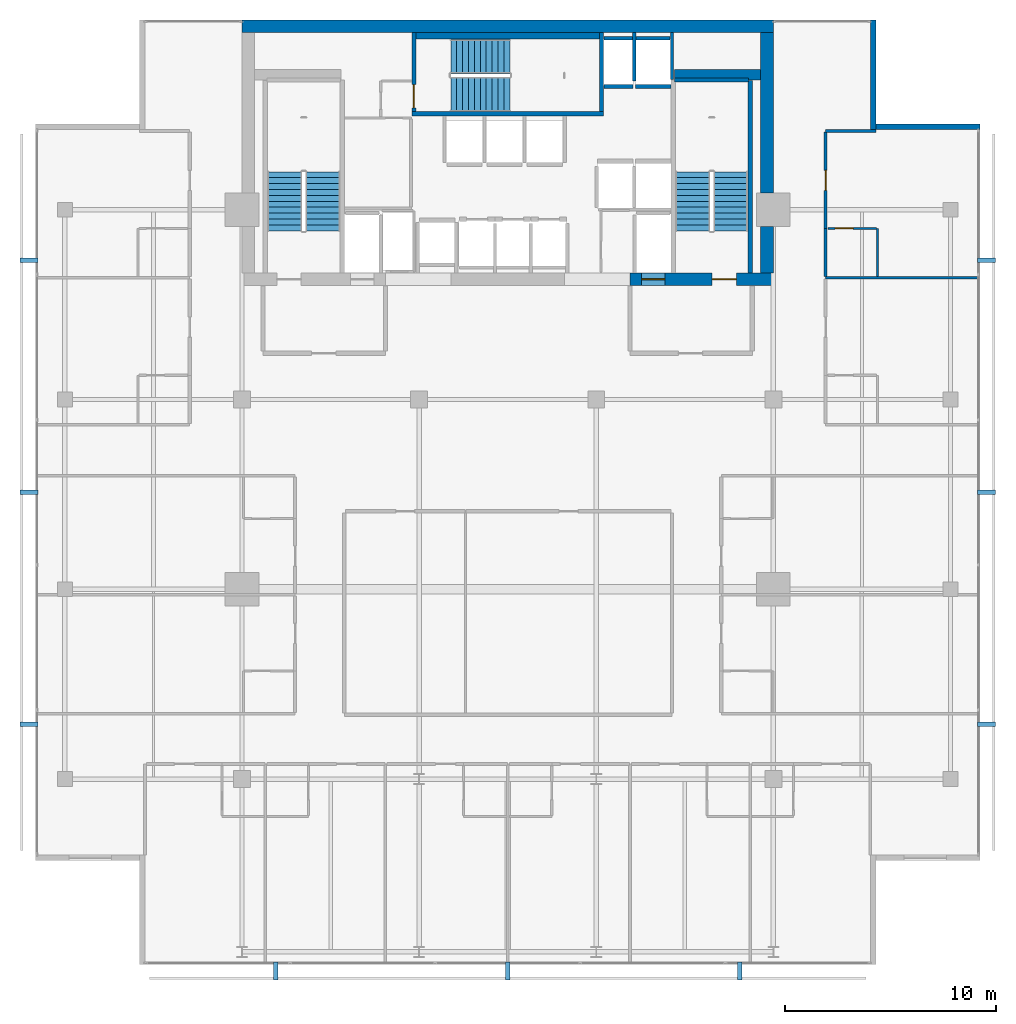
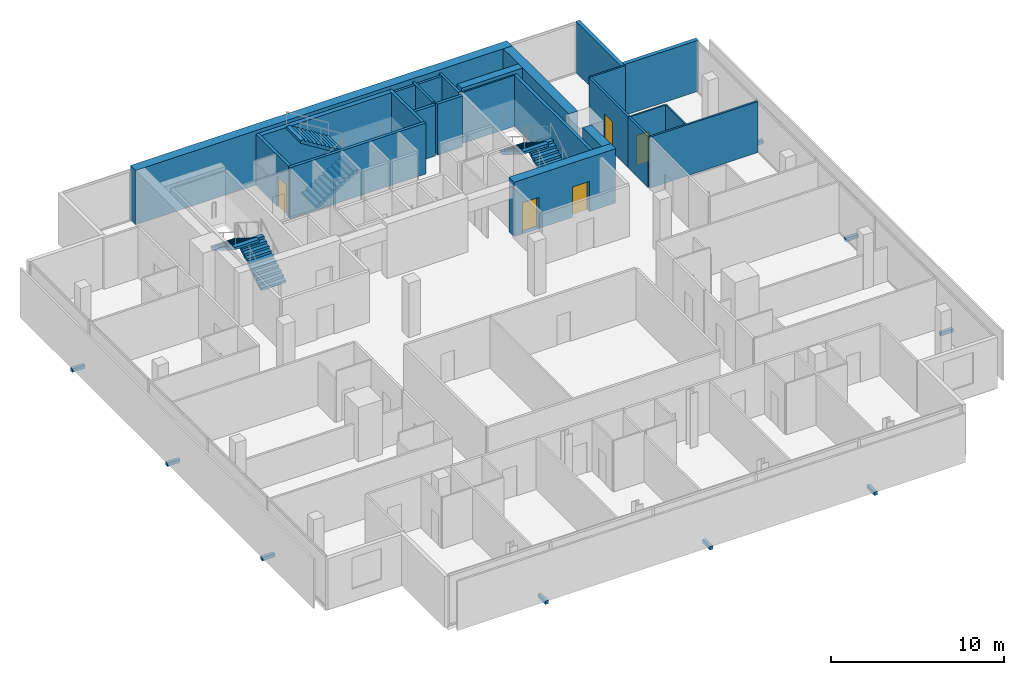
# One storey, part 23 of 25: 24 walls, 9 discrete accessories, 6 stair flights, 5 doors, 5 openings, 3 elements without a shape of their own.
"""IFC4 building model written with IfcOpenShell, lengths in metres."""

from ifc_helpers import new_model, si_unit, direction, frame, frame_2d, origin, origin_2d, place, context, subcontext, project, spatial, polyline, rectangle, outline, extrude, material, layer, layer_set, type_object, element, fill, aggregate, save


model = new_model("IFC4")

# Units and contexts
model_context = context("Model", 3, precision=1e-05, world=origin(), true_north=direction((0.0, 1.0)))
body_context = subcontext(model_context, "Body", "Model", "MODEL_VIEW")
ifc_project = project(units=[si_unit("LENGTHUNIT", "METRE"), si_unit("AREAUNIT", "SQUARE_METRE"), si_unit("VOLUMEUNIT", "CUBIC_METRE"), si_unit("PLANEANGLEUNIT", "RADIAN"), si_unit("MASSUNIT", "GRAM", prefix="KILO")], contexts=[model_context])

# Site, building, storey
site_placement = place(None, origin())
site = spatial("IfcSite", under=ifc_project, at=site_placement, CompositionType="ELEMENT")
building_placement = place(site_placement, origin())
building = spatial("IfcBuilding", under=site, at=building_placement, Name="Maruvema Waterfront Hotel and Observation Tower", CompositionType="ELEMENT")
storey_placement = place(building_placement, frame((0.0, 0.0, 239.39990234375)))
storey = spatial("IfcBuildingStorey", under=building, at=storey_placement, Name="L58", CompositionType="ELEMENT", Elevation=239.39990234375)

# Wall
ifc_material_1 = material(Name="Twin-stud acoustic gypsum drywall", Category="gypsum")
ifc_layer_1 = layer(ifc_material_1, 0.14990234375, Name="Acoustic Corridor and Suite Demising Wall 150 mm")
ifc_layer_set_1 = layer_set([ifc_layer_1], Name="Twin-stud acoustic gypsum drywall")
wall_type_1 = type_object("IfcWallType", Name="Acoustic Corridor and Suite Demising Wall 150 mm", PredefinedType="PARTITIONING", material=ifc_layer_set_1)
wall_1_placement = place(storey_placement, frame((52.8798828125, 41.82861328125, 0.0), z_axis=(0.0, 0.0, 1.0), x_axis=(0.0, 1.0, 0.0)))
element("IfcWall", 1, at=wall_1_placement, inside=storey, type_object=wall_type_1, Name="L58 Bath L58-NE2 Wall 094", PredefinedType="PARTITIONING", context=body_context, shape_type="SweptSolid", body=[
    extrude(rectangle(XDim=2.2900390625, YDim=0.14990234375, at=frame_2d((1.14501953125, 0.0))), origin(), (0.0, 0.0, 1.0), 3.610107421875),
])

# Wall, opening, door
wall_2_placement = place(storey_placement, frame((52.8798828125, 44.11865234375, 0.0), z_axis=(0.0, 0.0, 1.0), x_axis=(0.0, 1.0, 0.0)))
wall_2 = element("IfcWall", 2, at=wall_2_placement, inside=storey, type_object=wall_type_1, Name="L58 Room L58-NE2 Corridor Wall 095", PredefinedType="PARTITIONING", context=body_context, shape_type="SweptSolid", body=[
    extrude(rectangle(XDim=4.558837890625, YDim=0.14990234375, at=frame_2d((2.279296875, 0.0))), origin(), (0.0, 0.0, 1.0), 3.610107421875),
])
opening_1_placement = place(wall_2_placement, frame((1.804443359375, 0.0, 0.0)))
opening_1 = element("IfcOpeningElement", 3, at=opening_1_placement, cuts=wall_2, Name="Opening DR-095", PredefinedType="OPENING", context=body_context, shape_type="SweptSolid", body=[
    extrude(rectangle(XDim=0.949951171875, YDim=2.14990234375, at=frame_2d((0.47509765625, 1.074951171875))), frame((0.0, 0.0849609375, 0.0), z_axis=(0.0, -1.0, 0.0), x_axis=(1.0, 0.0, 0.0)), (0.0, 0.0, 1.0), 0.169921875),
])
ifc_material_2 = material(Name="Acoustic solid-core hardwood timber leaf", Category="wood")
door_type_1 = type_object("IfcDoorType", Name="Guestroom Entrance Fire Door 950x2150 mm", OperationType="NOTDEFINED", PredefinedType="DOOR", material=ifc_material_2)
door_1_placement = place(opening_1_placement, frame((0.949951171875, 0.0, 0.0), z_axis=(0.0, 0.0, 1.0), x_axis=(-1.0, 0.0, 0.0)))
door_1 = element("IfcDoor", 4, at=door_1_placement, inside=storey, type_object=door_type_1, Name="L58 Room L58-NE2 Entrance Door", OperationType="SINGLE_SWING_LEFT", OverallHeight=2.14990234375, OverallWidth=0.949951171875, PredefinedType="DOOR", context=body_context, shape_type="SweptSolid", body=[
    extrude(rectangle(XDim=0.949951171875, YDim=2.14990234375, at=frame_2d((0.47509765625, 1.074951171875))), frame((0.0, 0.02490234375, 0.0), z_axis=(0.0, -1.0, 0.0), x_axis=(1.0, 0.0, 0.0)), (0.0, 0.0, 1.0), 0.050048828125),
])
fill(opening_1, door_1)

# Walls
ifc_material_3 = material(Name="Precast concrete C45/55", Category="concrete")
ifc_layer_2 = layer(ifc_material_3, 0.300048828125, Name="Core Shaft Furring Wall 300 mm")
ifc_layer_set_2 = layer_set([ifc_layer_2], Name="Precast concrete C45/55")
wall_type_2 = type_object("IfcWallType", Name="Core Shaft Furring Wall 300 mm", PredefinedType="SOLIDWALL", material=ifc_layer_set_2)
wall_3_placement = place(storey_placement, frame((33.449951171875, 53.25, 0.0), z_axis=(0.0, 0.0, 1.0), x_axis=(1.0, 0.0, 0.0)))
element("IfcWall", 5, at=wall_3_placement, inside=storey, type_object=wall_type_2, Name="L58 Stairwell ST-02 North Furring Wall", PredefinedType="SOLIDWALL", context=body_context, shape_type="SweptSolid", body=[
    extrude(rectangle(XDim=8.699951171875, YDim=0.300048828125, at=frame_2d((4.35009765625, 0.0))), origin(), (0.0, 0.0, 1.0), 3.610107421875),
])
ifc_material_4 = material(Name="Precast concrete C45/55", Category="concrete")
ifc_layer_3 = layer(ifc_material_4, 0.199951171875, Name="Core Shaft and Stairwell Enclosure Wall 200 mm")
ifc_layer_set_3 = layer_set([ifc_layer_3], Name="Precast concrete C45/55")
wall_type_3 = type_object("IfcWallType", Name="Core Shaft and Stairwell Enclosure Wall 200 mm", PredefinedType="SOLIDWALL", material=ifc_layer_set_3)
wall_4_placement = place(storey_placement, frame((33.25, 49.550048828125, 0.0), z_axis=(0.0, 0.0, 1.0), x_axis=(1.0, 0.0, 0.0)))
element("IfcWall", 6, at=wall_4_placement, inside=storey, type_object=wall_type_3, Name="L58 Stairwell ST-02 Shaft Wall", PredefinedType="SOLIDWALL", context=body_context, shape_type="SweptSolid", body=[
    extrude(rectangle(XDim=9.10009765625, YDim=0.199951171875, at=frame_2d((4.550048828125, 0.0))), origin(), (0.0, 0.0, 1.0), 3.610107421875),
])
wall_5_placement = place(storey_placement, frame((42.25, 49.64990234375, 0.0), z_axis=(0.0, 0.0, 1.0), x_axis=(0.0, 1.0, 0.0)))
element("IfcWall", 7, at=wall_5_placement, inside=storey, type_object=wall_type_3, Name="L58 Stairwell ST-02 Shaft Wall", PredefinedType="SOLIDWALL", context=body_context, shape_type="SweptSolid", body=[
    extrude(rectangle(XDim=3.75, YDim=0.199951171875, at=frame_2d((1.875, 0.0))), origin(), (0.0, 0.0, 1.0), 3.610107421875),
])

# Wall, opening, door
wall_6_placement = place(storey_placement, frame((33.35009765625, 49.64990234375, 0.0), z_axis=(0.0, 0.0, 1.0), x_axis=(0.0, 1.0, 0.0)))
wall_6 = element("IfcWall", 8, at=wall_6_placement, inside=storey, type_object=wall_type_3, Name="L58 Stairwell ST-02 Shaft Wall", PredefinedType="SOLIDWALL", context=body_context, shape_type="SweptSolid", body=[
    extrude(rectangle(XDim=3.75, YDim=0.199951171875, at=frame_2d((1.875, 0.0))), origin(), (0.0, 0.0, 1.0), 3.610107421875),
])
opening_2_placement = place(wall_6_placement, frame((0.179931640625, 0.0, 0.0)))
opening_2 = element("IfcOpeningElement", 9, at=opening_2_placement, cuts=wall_6, Name="Opening SD-02", PredefinedType="OPENING", context=body_context, shape_type="SweptSolid", body=[
    extrude(rectangle(XDim=1.10009765625, YDim=2.14990234375, at=frame_2d((0.550048828125, 1.074951171875))), frame((0.0, 0.10986328125, 0.0), z_axis=(0.0, -1.0, 0.0), x_axis=(1.0, 0.0, 0.0)), (0.0, 0.0, 1.0), 0.219970703125),
])
ifc_material_5 = material(Name="Fire-rated galvanised steel leaf", Category="steel")
door_type_2 = type_object("IfcDoorType", Name="Central Exit Stair Fire Door 1100x2150 mm", OperationType="NOTDEFINED", PredefinedType="DOOR", material=ifc_material_5)
door_2_placement = place(opening_2_placement, frame((1.10009765625, 0.0, 0.0), z_axis=(0.0, 0.0, 1.0), x_axis=(-1.0, 0.0, 0.0)))
door_2 = element("IfcDoor", 10, at=door_2_placement, inside=storey, type_object=door_type_2, Name="L58 Exit Stair ST-02 Fire Door", OperationType="SINGLE_SWING_LEFT", OverallHeight=2.14990234375, OverallWidth=1.10009765625, PredefinedType="DOOR", context=body_context, shape_type="SweptSolid", body=[
    extrude(rectangle(XDim=1.10009765625, YDim=2.14990234375, at=frame_2d((0.550048828125, 1.074951171875))), frame((0.0, 0.02490234375, 0.0), z_axis=(0.0, -1.0, 0.0), x_axis=(1.0, 0.0, 0.0)), (0.0, 0.0, 1.0), 0.050048828125),
])
fill(opening_2, door_2)

# Walls
wall_7_placement = place(storey_placement, frame((49.300048828125, 42.0, 0.0), z_axis=(0.0, 0.0, 1.0), x_axis=(0.0, 1.0, 0.0)))
element("IfcWall", 11, at=wall_7_placement, inside=storey, type_object=wall_type_3, Name="L58 Stairwell ST-03 Shaft Lining Wall", PredefinedType="SOLIDWALL", context=body_context, shape_type="SweptSolid", body=[
    extrude(rectangle(XDim=9.1201171875, YDim=0.199951171875, at=frame_2d((4.56005859375, 0.0))), origin(), (0.0, 0.0, 1.0), 3.610107421875),
])
wall_8_placement = place(storey_placement, frame((45.719970703125, 51.14990234375, 0.0), z_axis=(0.0, 0.0, 1.0), x_axis=(1.0, 0.0, 0.0)))
element("IfcWall", 12, at=wall_8_placement, inside=storey, type_object=wall_type_3, Name="L58 Stairwell ST-03 Shaft Lining Wall", PredefinedType="SOLIDWALL", context=body_context, shape_type="SweptSolid", body=[
    extrude(rectangle(XDim=3.5, YDim=0.199951171875, at=frame_2d((1.75, 0.0))), origin(), (0.0, 0.0, 1.0), 3.610107421875),
])
wall_9_placement = place(storey_placement, frame((42.360107421875, 50.85009765625, 0.0), z_axis=(0.0, 0.0, 1.0), x_axis=(1.0, 0.0, 0.0)))
element("IfcWall", 13, at=wall_9_placement, inside=storey, type_object=wall_type_3, Name="L58 Lift LF-07 Hoistway Front Wall", PredefinedType="SOLIDWALL", context=body_context, shape_type="SweptSolid", body=[
    extrude(rectangle(XDim=1.3798828125, YDim=0.199951171875, at=frame_2d((0.68994140625, 0.0))), origin(), (0.0, 0.0, 1.0), 3.610107421875),
])
wall_10_placement = place(storey_placement, frame((43.860107421875, 50.85009765625, 0.0), z_axis=(0.0, 0.0, 1.0), x_axis=(1.0, 0.0, 0.0)))
element("IfcWall", 14, at=wall_10_placement, inside=storey, type_object=wall_type_3, Name="L58 Lift LF-08 Hoistway Front Wall", PredefinedType="SOLIDWALL", context=body_context, shape_type="SweptSolid", body=[
    extrude(rectangle(XDim=1.679931640625, YDim=0.199951171875, at=frame_2d((0.83984375, 0.0))), origin(), (0.0, 0.0, 1.0), 3.610107421875),
])
ifc_material_6 = material(Name="Concrete C70/85", Category="concrete")
ifc_layer_4 = layer(ifc_material_6, 0.5, Name="Core Shear Wall 500 mm")
ifc_layer_set_4 = layer_set([ifc_layer_4], Name="Concrete C70/85")
wall_type_4 = type_object("IfcWallType", Name="Core Shear Wall 500 mm", PredefinedType="SHEAR", material=ifc_layer_set_4)
wall_11_placement = place(storey_placement, frame((45.699951171875, 51.39990234375, 0.0), z_axis=(0.0, 0.0, 1.0), x_axis=(1.0, 0.0, 0.0)))
element("IfcWall", 15, at=wall_11_placement, inside=storey, type_object=wall_type_4, Name="L58 Internal Core Shear Wall NE 500 mm", PredefinedType="SHEAR", context=body_context, shape_type="SweptSolid", body=[
    extrude(rectangle(XDim=4.10009765625, YDim=0.5, at=frame_2d((2.050048828125, 0.0))), origin(), (0.0, 0.0, 1.0), 3.85009765625),
])
ifc_material_7 = material(Name="Concrete C60/75", Category="concrete")
ifc_layer_5 = layer(ifc_material_7, 0.60009765625, Name="Core Shear Wall 600 mm")
ifc_layer_set_5 = layer_set([ifc_layer_5], Name="Concrete C60/75")
wall_type_5 = type_object("IfcWallType", Name="Core Shear Wall 600 mm", PredefinedType="SHEAR", material=ifc_layer_set_5)
wall_12_placement = place(storey_placement, frame((25.199951171875, 53.699951171875, 0.0), z_axis=(0.0, 0.0, 1.0), x_axis=(1.0, 0.0, 0.0)))
element("IfcWall", 16, at=wall_12_placement, inside=storey, type_object=wall_type_5, Name="L58 North Core Shear Wall", PredefinedType="SHEAR", context=body_context, shape_type="SweptSolid", body=[
    extrude(rectangle(XDim=25.199951171875, YDim=0.60009765625, at=frame_2d((12.60009765625, 0.0))), origin(), (0.0, 0.0, 1.0), 3.85009765625),
])

# Wall, openings, doors
wall_13_placement = place(storey_placement, frame((43.60009765625, 41.699951171875, 0.0), z_axis=(0.0, 0.0, 1.0), x_axis=(1.0, 0.0, 0.0)))
wall_13 = element("IfcWall", 17, at=wall_13_placement, inside=storey, type_object=wall_type_5, Name="L58 South-East Core Shear Wall", PredefinedType="SHEAR", context=body_context, shape_type="SweptSolid", body=[
    extrude(rectangle(XDim=6.7998046875, YDim=0.60009765625, at=frame_2d((3.39990234375, 0.0))), origin(), (0.0, 0.0, 1.0), 3.85009765625),
])
opening_3_placement = place(wall_13_placement, frame((3.89990234375, 0.0, 0.0)))
opening_3 = element("IfcOpeningElement", 18, at=opening_3_placement, cuts=wall_13, Name="Opening SD-01", PredefinedType="OPENING", context=body_context, shape_type="SweptSolid", body=[
    extrude(rectangle(XDim=1.14990234375, YDim=2.14990234375, at=frame_2d((0.574951171875, 1.074951171875))), frame((0.0, 0.31005859375, 0.0), z_axis=(0.0, -1.0, 0.0), x_axis=(1.0, 0.0, 0.0)), (0.0, 0.0, 1.0), 0.6201171875),
])
opening_4_placement = place(wall_13_placement, frame((0.550048828125, 0.0, 0.0)))
opening_4 = element("IfcOpeningElement", 19, at=opening_4_placement, cuts=wall_13, Name="Opening LD-03", PredefinedType="OPENING", context=body_context, shape_type="SweptSolid", body=[
    extrude(rectangle(XDim=1.10009765625, YDim=2.199951171875, at=frame_2d((0.550048828125, 1.10009765625))), frame((0.0, 0.31005859375, 0.0), z_axis=(0.0, -1.0, 0.0), x_axis=(1.0, 0.0, 0.0)), (0.0, 0.0, 1.0), 0.6201171875),
])
ifc_material_8 = material(Name="Fire-rated galvanised steel leaf", Category="steel")
door_type_3 = type_object("IfcDoorType", Name="Exit Stair Fire Door 1150x2150 mm", OperationType="NOTDEFINED", PredefinedType="DOOR", material=ifc_material_8)
door_3_placement = place(opening_3_placement, origin())
door_3 = element("IfcDoor", 20, at=door_3_placement, inside=storey, type_object=door_type_3, Name="L58 Exit Stair ST-03 Fire Door", OperationType="SINGLE_SWING_RIGHT", OverallHeight=2.14990234375, OverallWidth=1.14990234375, PredefinedType="DOOR", context=body_context, shape_type="SweptSolid", body=[
    extrude(rectangle(XDim=1.14990234375, YDim=2.14990234375, at=frame_2d((0.574951171875, 1.074951171875))), frame((0.0, 0.02490234375, 0.0), z_axis=(0.0, -1.0, 0.0), x_axis=(1.0, 0.0, 0.0)), (0.0, 0.0, 1.0), 0.050048828125),
])
fill(opening_3, door_3)
ifc_material_9 = material(Name="Brushed stainless steel Grade 316", Category="steel")
door_type_4 = type_object("IfcDoorType", Name="Firefighting Lift Sliding Landing Door 1100x2200 mm", OperationType="SLIDING_TO_LEFT", PredefinedType="DOOR", material=ifc_material_9)
door_4_placement = place(opening_4_placement, frame((1.10009765625, 0.0, 0.0), z_axis=(0.0, 0.0, 1.0), x_axis=(-1.0, 0.0, 0.0)))
door_4 = element("IfcDoor", 21, at=door_4_placement, inside=storey, type_object=door_type_4, Name="L58 Firefighting Lift FL-02 Landing Door", OperationType="SLIDING_TO_LEFT", OverallHeight=2.199951171875, OverallWidth=1.10009765625, PredefinedType="DOOR", context=body_context, shape_type="SweptSolid", body=[
    extrude(rectangle(XDim=1.10009765625, YDim=2.199951171875, at=frame_2d((0.550048828125, 1.10009765625))), frame((0.0, 0.02490234375, 0.0), z_axis=(0.0, -1.0, 0.0), x_axis=(1.0, 0.0, 0.0)), (0.0, 0.0, 1.0), 0.050048828125),
])
fill(opening_4, door_4)

# Walls
wall_14_placement = place(storey_placement, frame((50.10009765625, 42.0, 0.0), z_axis=(0.0, 0.0, 1.0), x_axis=(0.0, 1.0, 0.0)))
element("IfcWall", 22, at=wall_14_placement, inside=storey, type_object=wall_type_5, Name="L58 East-South Core Shear Wall", PredefinedType="SHEAR", context=body_context, shape_type="SweptSolid", body=[
    extrude(rectangle(XDim=2.199951171875, YDim=0.60009765625, at=frame_2d((1.10009765625, 0.0))), origin(), (0.0, 0.0, 1.0), 3.85009765625),
])
wall_15_placement = place(storey_placement, frame((50.10009765625, 45.800048828125, 0.0), z_axis=(0.0, 0.0, 1.0), x_axis=(0.0, 1.0, 0.0)))
element("IfcWall", 23, at=wall_15_placement, inside=storey, type_object=wall_type_5, Name="L58 East-North Core Shear Wall", PredefinedType="SHEAR", context=body_context, shape_type="SweptSolid", body=[
    extrude(rectangle(XDim=7.599853515625, YDim=0.60009765625, at=frame_2d((3.7998046875, 0.0))), origin(), (0.0, 0.0, 1.0), 3.85009765625),
])
ifc_material_10 = material(Name="Moisture-resistant cement-board drywall", Category="gypsum")
ifc_layer_6 = layer(ifc_material_10, 0.10009765625, Name="En-Suite Moisture-Resistant Partition 100 mm")
ifc_layer_set_6 = layer_set([ifc_layer_6], Name="Moisture-resistant cement-board drywall")
wall_type_6 = type_object("IfcWallType", Name="En-Suite Moisture-Resistant Partition 100 mm", PredefinedType="PARTITIONING", material=ifc_layer_set_6)
wall_16_placement = place(storey_placement, frame((55.330078125, 41.82861328125, 0.0), z_axis=(0.0, 0.0, 1.0), x_axis=(0.0, 1.0, 0.0)))
element("IfcWall", 24, at=wall_16_placement, inside=storey, type_object=wall_type_6, Name="L58 En-Suite L58-NE2 E 096", PredefinedType="PARTITIONING", context=body_context, shape_type="SweptSolid", body=[
    extrude(rectangle(XDim=2.2900390625, YDim=0.10009765625, at=frame_2d((1.14501953125, 0.0))), origin(), (0.0, 0.0, 1.0), 3.610107421875),
])

# Wall, opening, door
wall_17_placement = place(storey_placement, frame((52.97998046875, 44.11865234375, 0.0), z_axis=(0.0, 0.0, 1.0), x_axis=(1.0, 0.0, 0.0)))
wall_17 = element("IfcWall", 25, at=wall_17_placement, inside=storey, type_object=wall_type_6, Name="L58 En-Suite L58-NE2 N 097", PredefinedType="PARTITIONING", context=body_context, shape_type="SweptSolid", body=[
    extrude(rectangle(XDim=2.300048828125, YDim=0.10009765625, at=frame_2d((1.14990234375, 0.0))), origin(), (0.0, 0.0, 1.0), 3.610107421875),
])
opening_5_placement = place(wall_17_placement, frame((0.35009765625, 0.0, 0.0)))
opening_5 = element("IfcOpeningElement", 26, at=opening_5_placement, cuts=wall_17, Name="Opening DR-085", PredefinedType="OPENING", context=body_context, shape_type="SweptSolid", body=[
    extrude(rectangle(XDim=0.85009765625, YDim=2.10009765625, at=frame_2d((0.425048828125, 1.050048828125))), frame((0.0, 0.06005859375, 0.0), z_axis=(0.0, -1.0, 0.0), x_axis=(1.0, 0.0, 0.0)), (0.0, 0.0, 1.0), 0.1201171875),
])
ifc_material_11 = material(Name="Moisture-resistant solid timber leaf", Category="wood")
door_type_5 = type_object("IfcDoorType", Name="En-Suite Bathroom Door 850x2100 mm", OperationType="NOTDEFINED", PredefinedType="DOOR", material=ifc_material_11)
door_5_placement = place(opening_5_placement, origin())
door_5 = element("IfcDoor", 27, at=door_5_placement, inside=storey, type_object=door_type_5, Name="L58 En-Suite L58-NE2 Door", OperationType="SINGLE_SWING_RIGHT", OverallHeight=2.10009765625, OverallWidth=0.85009765625, PredefinedType="DOOR", context=body_context, shape_type="SweptSolid", body=[
    extrude(rectangle(XDim=0.85009765625, YDim=2.10009765625, at=frame_2d((0.425048828125, 1.050048828125))), frame((0.0, 0.02490234375, 0.0), z_axis=(0.0, -1.0, 0.0), x_axis=(1.0, 0.0, 0.0)), (0.0, 0.0, 1.0), 0.050048828125),
])
fill(opening_5, door_5)

# Walls
ifc_material_12 = material(Name="Precast concrete C45/55 with honed Pernambuco granite facing", Category="masonry")
ifc_layer_7 = layer(ifc_material_12, 0.260009765625, Name="Exterior Granite Clad Spandrel and Pier Wall 260 mm")
ifc_layer_set_7 = layer_set([ifc_layer_7], Name="Precast concrete C45/55 with honed Pernambuco granite facing")
wall_type_7 = type_object("IfcWallType", Name="Exterior Granite Clad Spandrel and Pier Wall 260 mm", PredefinedType="SOLIDWALL", material=ifc_layer_set_7)
for number, where, z_axis, x_axis, name in (
    (28, (55.1298828125, 54.0, 0.0), (0.0, 0.0, 1.0), (0.0, -1.0, 0.0), "L58 Corner Notch Granite Pier Wall NE1"),
    (29, (55.0, 48.929931640625, 0.0), (0.0, 0.0, 1.0), (1.0, 0.0, 0.0), "L58 Corner Notch Granite Pier Wall NE2"),
):
    element("IfcWall", number, at=place(storey_placement, frame(where, z_axis=z_axis, x_axis=x_axis)), inside=storey, type_object=wall_type_7, Name=name, PredefinedType="SOLIDWALL", context=body_context, shape_type="SweptSolid", body=[
        extrude(rectangle(XDim=5.199951171875, YDim=0.260009765625, at=frame_2d((2.60009765625, 0.0))), origin(), (0.0, 0.0, 1.0), 3.610107421875),
    ])
ifc_material_13 = material(Name="Acoustic gypsum plasterboard drywall", Category="gypsum")
ifc_layer_8 = layer(ifc_material_13, 0.125, Name="Guestroom Acoustic Demising Wall 125 mm")
ifc_layer_set_8 = layer_set([ifc_layer_8], Name="Acoustic gypsum plasterboard drywall")
wall_type_8 = type_object("IfcWallType", Name="Guestroom Acoustic Demising Wall 125 mm", PredefinedType="PARTITIONING", material=ifc_layer_set_8)
wall_18_placement = place(storey_placement, frame((52.8798828125, 48.737548828125, 0.0), z_axis=(0.0, 0.0, 1.0), x_axis=(1.0, 0.0, 0.0)))
element("IfcWall", 30, at=wall_18_placement, inside=storey, type_object=wall_type_8, Name="L58 Z3 NE Top End 079", PredefinedType="PARTITIONING", context=body_context, shape_type="SweptSolid", body=[
    extrude(rectangle(XDim=2.380126953125, YDim=0.125, at=frame_2d((1.18994140625, 0.0))), origin(), (0.0, 0.0, 1.0), 3.610107421875),
])
wall_19_placement = place(storey_placement, frame((52.8798828125, 41.768798828125, 0.0), z_axis=(0.0, 0.0, 1.0), x_axis=(1.0, 0.0, 0.0)))
element("IfcWall", 31, at=wall_19_placement, inside=storey, type_object=wall_type_8, Name="L58 Z3 NE Demising 2 089", PredefinedType="PARTITIONING", context=body_context, shape_type="SweptSolid", body=[
    extrude(rectangle(XDim=7.22021484375, YDim=0.125, at=frame_2d((3.610107421875, 0.0))), origin(), (0.0, 0.0, 1.0), 3.610107421875),
])
ifc_material_14 = material(Name="Precast concrete C45/55", Category="concrete")
ifc_layer_9 = layer(ifc_material_14, 0.159912109375, Name="Lift Hoistway Divider Wall 160 mm")
ifc_layer_set_9 = layer_set([ifc_layer_9], Name="Precast concrete C45/55")
wall_type_9 = type_object("IfcWallType", Name="Lift Hoistway Divider Wall 160 mm", PredefinedType="SOLIDWALL", material=ifc_layer_set_9)
wall_20_placement = place(storey_placement, frame((45.590087890625, 51.179931640625, 0.0), z_axis=(0.0, 0.0, 1.0), x_axis=(0.0, 1.0, 0.0)))
element("IfcWall", 32, at=wall_20_placement, inside=storey, type_object=wall_type_9, Name="L58 Hoistway Divider Wall", PredefinedType="SOLIDWALL", context=body_context, shape_type="SweptSolid", body=[
    extrude(rectangle(XDim=2.219970703125, YDim=0.159912109375, at=frame_2d((1.10986328125, 0.0))), origin(), (0.0, 0.0, 1.0), 3.610107421875),
])
wall_21_placement = place(storey_placement, frame((43.800048828125, 51.10009765625, 0.0), z_axis=(0.0, 0.0, 1.0), x_axis=(0.0, 1.0, 0.0)))
element("IfcWall", 33, at=wall_21_placement, inside=storey, type_object=wall_type_9, Name="L58 Hoistway Divider Wall", PredefinedType="SOLIDWALL", context=body_context, shape_type="SweptSolid", body=[
    extrude(rectangle(XDim=2.2998046875, YDim=0.159912109375, at=frame_2d((1.14990234375, 0.0))), origin(), (0.0, 0.0, 1.0), 3.610107421875),
])
wall_22_placement = place(storey_placement, frame((42.360107421875, 53.139892578125, 0.0), z_axis=(0.0, 0.0, 1.0), x_axis=(1.0, 0.0, 0.0)))
element("IfcWall", 34, at=wall_22_placement, inside=storey, type_object=wall_type_9, Name="L58 Hoistway Divider Wall", PredefinedType="SOLIDWALL", context=body_context, shape_type="SweptSolid", body=[
    extrude(rectangle(XDim=3.139892578125, YDim=0.159912109375, at=frame_2d((1.56982421875, 0.0))), origin(), (0.0, 0.0, 1.0), 3.610107421875),
])

# Stair, stair flights
ifc_material_15 = material(Name="Concrete C50/60", Category="concrete")
stair_type = type_object("IfcStairType", Name="Dogleg Exit Stair 1650 mm (22R x 175.0 mm)", PredefinedType="HALF_TURN_STAIR", material=ifc_material_15)
stair_1_placement = place(storey_placement, origin())
stair_1 = element("IfcStair", 35, at=stair_1_placement, inside=storey, type_object=stair_type, Name="L58 ST-01", PredefinedType="HALF_TURN_STAIR")
ifc_material_16 = material(Name="Concrete C50/60", Category="concrete")
stair_flight_type = type_object("IfcStairFlightType", Name="Reinforced Concrete Stair Flight 1650 mm (11R x 175.0 mm)", PredefinedType="STRAIGHT", material=ifc_material_16)
stair_flight_1_placement = place(storey_placement, frame((29.02490234375, 44.0, 0.0), z_axis=(0.0, 0.0, 1.0), x_axis=(0.0, 1.0, 0.0)))
stair_flight_1 = element("IfcStairFlight", 36, at=stair_flight_1_placement, type_object=stair_flight_type, Name="ST-01 flight 1", NumberOfRisers=11, NumberOfTreads=10, PredefinedType="STRAIGHT", RiserHeight=0.175, TreadLength=0.28, context=body_context, shape_type="SweptSolid", body=[
    extrude(outline(polyline([(0.0, 0.0), (0.0, 0.175048828125), (0.280029296875, 0.175048828125), (0.280029296875, 0.35009765625), (0.56005859375, 0.35009765625), (0.56005859375, 0.52490234375), (0.840087890625, 0.52490234375), (0.840087890625, 0.699951171875), (1.1201171875, 0.699951171875), (1.1201171875, 0.875), (1.39990234375, 0.875), (1.39990234375, 1.050048828125), (1.679931640625, 1.050048828125), (1.679931640625, 1.22509765625), (1.9599609375, 1.22509765625), (1.9599609375, 1.39990234375), (2.239990234375, 1.39990234375), (2.239990234375, 1.574951171875), (2.52001953125, 1.574951171875), (2.52001953125, 1.75), (2.800048828125, 1.75), (2.800048828125, 1.925048828125), (2.800048828125, 1.5732421875), (0.28271484375, 0.0), (0.0, 0.0)])), frame((0.0, 0.824951171875, 0.0), z_axis=(0.0, -1.0, 0.0), x_axis=(1.0, 0.0, 0.0)), (0.0, 0.0, 1.0), 1.64990234375),
])
stair_flight_2_placement = place(storey_placement, frame((27.22509765625, 46.800048828125, 1.925048828125), z_axis=(0.0, 0.0, 1.0), x_axis=(0.0, -1.0, 0.0)))
stair_flight_2 = element("IfcStairFlight", 37, at=stair_flight_2_placement, type_object=stair_flight_type, Name="ST-01 flight 2", NumberOfRisers=11, NumberOfTreads=10, PredefinedType="STRAIGHT", RiserHeight=0.175, TreadLength=0.28, context=body_context, shape_type="SweptSolid", body=[
    extrude(outline(polyline([(0.0, 0.0), (0.0, 0.175048828125), (0.280029296875, 0.175048828125), (0.280029296875, 0.35009765625), (0.56005859375, 0.35009765625), (0.56005859375, 0.52490234375), (0.840087890625, 0.52490234375), (0.840087890625, 0.699951171875), (1.1201171875, 0.699951171875), (1.1201171875, 0.875), (1.39990234375, 0.875), (1.39990234375, 1.050048828125), (1.679931640625, 1.050048828125), (1.679931640625, 1.22509765625), (1.9599609375, 1.22509765625), (1.9599609375, 1.39990234375), (2.239990234375, 1.39990234375), (2.239990234375, 1.574951171875), (2.52001953125, 1.574951171875), (2.52001953125, 1.75), (2.800048828125, 1.75), (2.800048828125, 1.925048828125), (2.800048828125, 1.5732421875), (0.28271484375, 0.0), (0.0, 0.0)])), frame((0.0, 0.824951171875, 0.0), z_axis=(0.0, -1.0, 0.0), x_axis=(1.0, 0.0, 0.0)), (0.0, 0.0, 1.0), 1.64990234375),
])
aggregate(stair_1, [stair_flight_1, stair_flight_2])

stair_2_placement = place(storey_placement, origin())
stair_2 = element("IfcStair", 38, at=stair_2_placement, inside=storey, type_object=stair_type, Name="L58 ST-02", PredefinedType="HALF_TURN_STAIR")
stair_flight_3_placement = place(storey_placement, frame((35.10009765625, 50.47509765625, 0.0), z_axis=(0.0, 0.0, 1.0), x_axis=(1.0, 0.0, 0.0)))
stair_flight_3 = element("IfcStairFlight", 39, at=stair_flight_3_placement, type_object=stair_flight_type, Name="ST-02 flight 1", NumberOfRisers=11, NumberOfTreads=10, PredefinedType="STRAIGHT", RiserHeight=0.175, TreadLength=0.28, context=body_context, shape_type="SweptSolid", body=[
    extrude(outline(polyline([(0.0, 0.0), (0.0, 0.175048828125), (0.280029296875, 0.175048828125), (0.280029296875, 0.35009765625), (0.56005859375, 0.35009765625), (0.56005859375, 0.52490234375), (0.840087890625, 0.52490234375), (0.840087890625, 0.699951171875), (1.1201171875, 0.699951171875), (1.1201171875, 0.875), (1.39990234375, 0.875), (1.39990234375, 1.050048828125), (1.679931640625, 1.050048828125), (1.679931640625, 1.22509765625), (1.9599609375, 1.22509765625), (1.9599609375, 1.39990234375), (2.239990234375, 1.39990234375), (2.239990234375, 1.574951171875), (2.52001953125, 1.574951171875), (2.52001953125, 1.75), (2.800048828125, 1.75), (2.800048828125, 1.925048828125), (2.800048828125, 1.5732421875), (0.28271484375, 0.0), (0.0, 0.0)])), frame((0.0, 0.824951171875, 0.0), z_axis=(0.0, -1.0, 0.0), x_axis=(1.0, 0.0, 0.0)), (0.0, 0.0, 1.0), 1.64990234375),
])
stair_flight_4_placement = place(storey_placement, frame((37.89990234375, 52.27490234375, 1.925048828125), z_axis=(0.0, 0.0, 1.0), x_axis=(-1.0, 0.0, 0.0)))
stair_flight_4 = element("IfcStairFlight", 40, at=stair_flight_4_placement, type_object=stair_flight_type, Name="ST-02 flight 2", NumberOfRisers=11, NumberOfTreads=10, PredefinedType="STRAIGHT", RiserHeight=0.175, TreadLength=0.28, context=body_context, shape_type="SweptSolid", body=[
    extrude(outline(polyline([(0.0, 0.0), (0.0, 0.175048828125), (0.280029296875, 0.175048828125), (0.280029296875, 0.35009765625), (0.56005859375, 0.35009765625), (0.56005859375, 0.52490234375), (0.840087890625, 0.52490234375), (0.840087890625, 0.699951171875), (1.1201171875, 0.699951171875), (1.1201171875, 0.875), (1.39990234375, 0.875), (1.39990234375, 1.050048828125), (1.679931640625, 1.050048828125), (1.679931640625, 1.22509765625), (1.9599609375, 1.22509765625), (1.9599609375, 1.39990234375), (2.239990234375, 1.39990234375), (2.239990234375, 1.574951171875), (2.52001953125, 1.574951171875), (2.52001953125, 1.75), (2.800048828125, 1.75), (2.800048828125, 1.925048828125), (2.800048828125, 1.5732421875), (0.28271484375, 0.0), (0.0, 0.0)])), frame((0.0, 0.824951171875, 0.0), z_axis=(0.0, -1.0, 0.0), x_axis=(1.0, 0.0, 0.0)), (0.0, 0.0, 1.0), 1.64990234375),
])
aggregate(stair_2, [stair_flight_3, stair_flight_4])

stair_3_placement = place(storey_placement, origin())
stair_3 = element("IfcStair", 41, at=stair_3_placement, inside=storey, type_object=stair_type, Name="L58 ST-03", PredefinedType="HALF_TURN_STAIR")
stair_flight_5_placement = place(storey_placement, frame((48.375, 44.0, 0.0), z_axis=(0.0, 0.0, 1.0), x_axis=(0.0, 1.0, 0.0)))
stair_flight_5 = element("IfcStairFlight", 42, at=stair_flight_5_placement, type_object=stair_flight_type, Name="ST-03 flight 1", NumberOfRisers=11, NumberOfTreads=10, PredefinedType="STRAIGHT", RiserHeight=0.175, TreadLength=0.28, context=body_context, shape_type="SweptSolid", body=[
    extrude(outline(polyline([(0.0, 0.0), (0.0, 0.175048828125), (0.280029296875, 0.175048828125), (0.280029296875, 0.35009765625), (0.56005859375, 0.35009765625), (0.56005859375, 0.52490234375), (0.840087890625, 0.52490234375), (0.840087890625, 0.699951171875), (1.1201171875, 0.699951171875), (1.1201171875, 0.875), (1.39990234375, 0.875), (1.39990234375, 1.050048828125), (1.679931640625, 1.050048828125), (1.679931640625, 1.22509765625), (1.9599609375, 1.22509765625), (1.9599609375, 1.39990234375), (2.239990234375, 1.39990234375), (2.239990234375, 1.574951171875), (2.52001953125, 1.574951171875), (2.52001953125, 1.75), (2.800048828125, 1.75), (2.800048828125, 1.925048828125), (2.800048828125, 1.5732421875), (0.28271484375, 0.0), (0.0, 0.0)])), frame((0.0, 0.824951171875, 0.0), z_axis=(0.0, -1.0, 0.0), x_axis=(1.0, 0.0, 0.0)), (0.0, 0.0, 1.0), 1.64990234375),
])
stair_flight_6_placement = place(storey_placement, frame((46.574951171875, 46.800048828125, 1.925048828125), z_axis=(0.0, 0.0, 1.0), x_axis=(0.0, -1.0, 0.0)))
stair_flight_6 = element("IfcStairFlight", 43, at=stair_flight_6_placement, type_object=stair_flight_type, Name="ST-03 flight 2", NumberOfRisers=11, NumberOfTreads=10, PredefinedType="STRAIGHT", RiserHeight=0.175, TreadLength=0.28, context=body_context, shape_type="SweptSolid", body=[
    extrude(outline(polyline([(0.0, 0.0), (0.0, 0.175048828125), (0.280029296875, 0.175048828125), (0.280029296875, 0.35009765625), (0.56005859375, 0.35009765625), (0.56005859375, 0.52490234375), (0.840087890625, 0.52490234375), (0.840087890625, 0.699951171875), (1.1201171875, 0.699951171875), (1.1201171875, 0.875), (1.39990234375, 0.875), (1.39990234375, 1.050048828125), (1.679931640625, 1.050048828125), (1.679931640625, 1.22509765625), (1.9599609375, 1.22509765625), (1.9599609375, 1.39990234375), (2.239990234375, 1.39990234375), (2.239990234375, 1.574951171875), (2.52001953125, 1.574951171875), (2.52001953125, 1.75), (2.800048828125, 1.75), (2.800048828125, 1.925048828125), (2.800048828125, 1.5732421875), (0.28271484375, 0.0), (0.0, 0.0)])), frame((0.0, 0.824951171875, 0.0), z_axis=(0.0, -1.0, 0.0), x_axis=(1.0, 0.0, 0.0)), (0.0, 0.0, 1.0), 1.64990234375),
])
aggregate(stair_3, [stair_flight_5, stair_flight_6])

# Discrete accessories
ifc_material_17 = material(Name="Duplex stainless steel Grade 2205", Category="steel")
discrete_accessory_type = type_object("IfcDiscreteAccessoryType", Name="Double-Skin Cavity Stainless Outrigger Bracket", PredefinedType="BRACKET", material=ifc_material_17)
for number, where, z_axis, x_axis, name in (
    (44, (26.7919921875, 8.89990234375, -0.14013671875), (0.0, 0.0, 1.0), (1.0, 0.0, 0.0), "L58 Outer Skin Support Bracket 1"),
    (45, (37.800048828125, 8.89990234375, -0.14013671875), (0.0, 0.0, 1.0), (1.0, 0.0, 0.0), "L58 Outer Skin Support Bracket 2"),
    (46, (48.80810546875, 8.89990234375, -0.14013671875), (0.0, 0.0, 1.0), (1.0, 0.0, 0.0), "L58 Outer Skin Support Bracket 3"),
    (47, (60.5, 20.592041015625, -0.14013671875), (0.0, 0.0, 1.0), (0.0, 1.0, 0.0), "L58 Outer Skin Support Bracket 1"),
    (48, (60.5, 31.60009765625, -0.14013671875), (0.0, 0.0, 1.0), (0.0, 1.0, 0.0), "L58 Outer Skin Support Bracket 2"),
    (49, (60.5, 42.60791015625, -0.14013671875), (0.0, 0.0, 1.0), (0.0, 1.0, 0.0), "L58 Outer Skin Support Bracket 3"),
    (50, (15.10009765625, 42.60791015625, -0.14013671875), (0.0, 0.0, 1.0), (0.0, -1.0, 0.0), "L58 Outer Skin Support Bracket 1"),
    (51, (15.10009765625, 31.60009765625, -0.14013671875), (0.0, 0.0, 1.0), (0.0, -1.0, 0.0), "L58 Outer Skin Support Bracket 2"),
    (52, (15.10009765625, 20.592041015625, -0.14013671875), (0.0, 0.0, 1.0), (0.0, -1.0, 0.0), "L58 Outer Skin Support Bracket 3"),
):
    element("IfcDiscreteAccessory", number, at=place(storey_placement, frame(where, z_axis=z_axis, x_axis=x_axis)), inside=storey, type_object=discrete_accessory_type, Name=name, PredefinedType="BRACKET", context=body_context, shape_type="SweptSolid", body=[
        extrude(rectangle(XDim=0.219970703125, YDim=0.860107421875, at=origin_2d()), origin(), (0.0, 0.0, 1.0), 0.239990234375),
    ])

save(model, "model.ifc")
